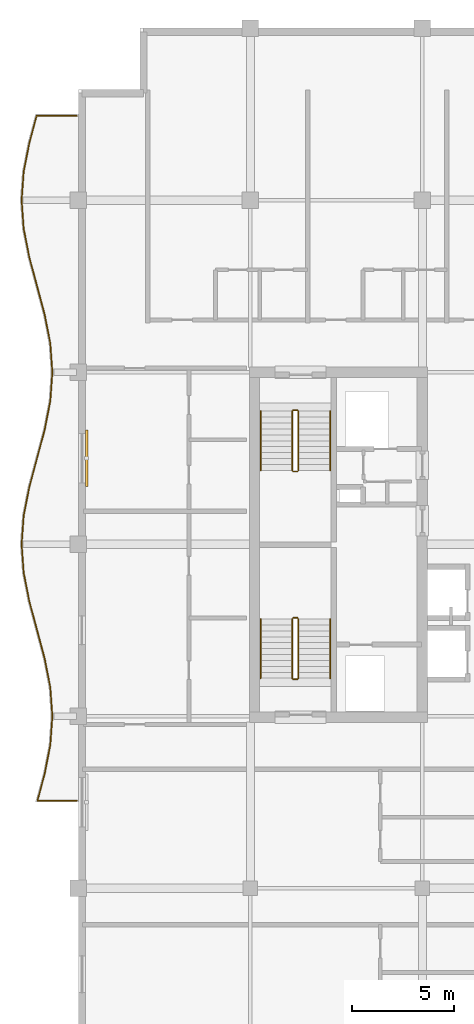
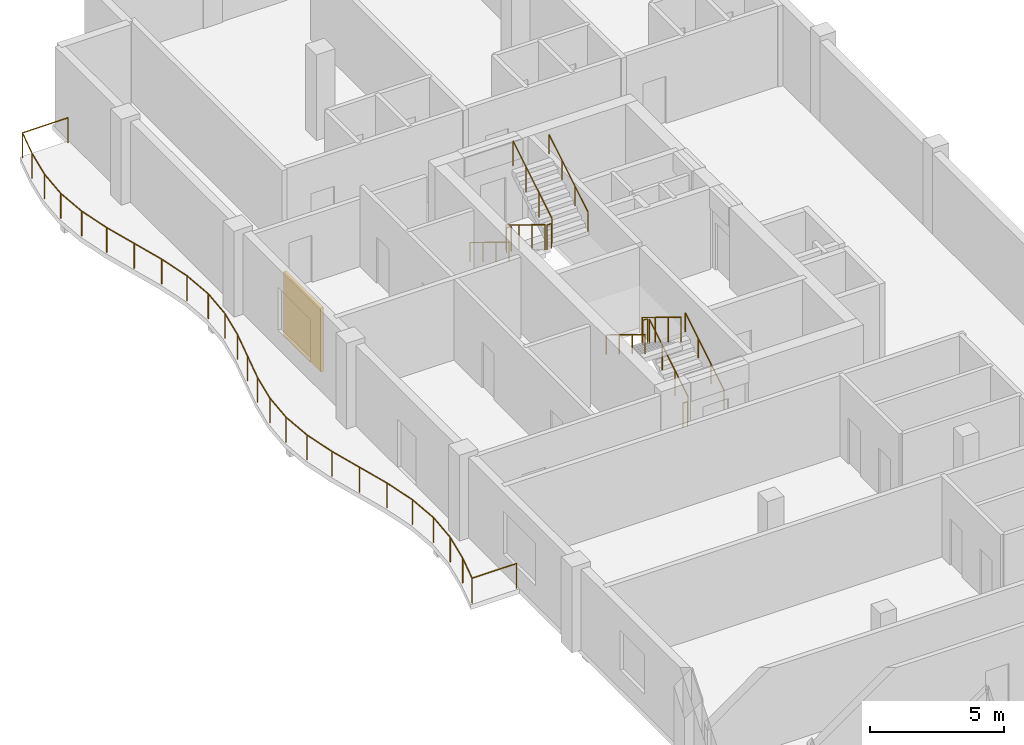
# One storey, part 15 of 15: 13 railings, 1 shading device.
"""IFC4 building model written with IfcOpenShell, lengths in metres."""

import ifcopenshell
import ifcopenshell.guid

model = None  # the IFC model being written
_history = None  # IfcOwnerHistory: only IFC2X3 demands one
_inside = {}  # id of a spatial element -> (the spatial element, [elements in it])
_under = {}  # id of a project, library or spatial element -> (it, [spatial elements below it])
_declared = {}  # id of a project -> (the project, [libraries it declares])
_typed = {}  # id of a type object -> (the type object, [elements of that type])
_made_of = {}  # id of a material, layer set ... -> (it, [elements and type objects made of it])


def new_model(schema):
    """Start an empty IFC model of exactly this schema.

    Asked for "IFC4X3", IfcOpenShell would pick the latest addendum, in which some entities
    have other attributes; the version numbers below select the first issue.
    IFC2X3 requires an IfcOwnerHistory on every rooted entity: one is made here for all.
    """
    global model, _history
    if schema == "IFC4X3":
        model = ifcopenshell.file(schema_version=(4, 3, 0, 0))
    else:
        model = ifcopenshell.file(schema=schema)
    _inside.clear()
    _under.clear()
    _declared.clear()
    _typed.clear()
    _made_of.clear()
    _history = None
    if model.schema == "IFC2X3":
        org = make("IfcOrganization", Name="unknown")
        user = make(
            "IfcPersonAndOrganization",
            ThePerson=make("IfcPerson", FamilyName="unknown"),
            TheOrganization=org,
        )
        app = make(
            "IfcApplication",
            ApplicationDeveloper=org,
            Version="unknown",
            ApplicationFullName="unknown",
            ApplicationIdentifier="unknown",
        )
        _history = make(
            "IfcOwnerHistory",
            OwningUser=user,
            OwningApplication=app,
            ChangeAction="ADDED",
            CreationDate=0,
        )
    return model


def make(cls, **values):
    """One entity of the class cls with the attributes given. An attribute that is None is left unset."""
    return model.create_entity(
        cls, **{name: value for name, value in values.items() if value is not None}
    )


def rooted(cls, **values):
    """An entity with a GlobalId (a new one), such as an element, a storey or a relation."""
    return make(cls, GlobalId=ifcopenshell.guid.new(), OwnerHistory=_history, **values)


def si_unit(unit_type, name, prefix=None):
    """IfcSIUnit, for example si_unit("LENGTHUNIT", "METRE", prefix="MILLI")."""
    return make("IfcSIUnit", UnitType=unit_type, Prefix=prefix, Name=name)


def assignment(units):
    """IfcUnitAssignment: the units of a project."""
    return None if units is None else make("IfcUnitAssignment", Units=units)


def point(xyz):
    """IfcCartesianPoint."""
    return None if xyz is None else make("IfcCartesianPoint", Coordinates=xyz)


def direction(xyz):
    """IfcDirection."""
    return None if xyz is None else make("IfcDirection", DirectionRatios=xyz)


def frame(location, z_axis=None, x_axis=None):
    """IfcAxis2Placement3D, a coordinate frame: its origin and axes. An axis left out is left unset."""
    return make(
        "IfcAxis2Placement3D",
        Location=point(location),
        Axis=direction(z_axis),
        RefDirection=direction(x_axis),
    )


def frame_2d(location, x_axis=None):
    """IfcAxis2Placement2D, a coordinate frame in the plane: its origin and x axis."""
    return make(
        "IfcAxis2Placement2D", Location=point(location), RefDirection=direction(x_axis)
    )


def origin():
    """The frame at (0, 0, 0) with its axes left unset."""
    return frame((0.0, 0.0, 0.0))


def origin_2d():
    """The frame at (0, 0) in the plane with its x axis left unset."""
    return frame_2d((0.0, 0.0))


def place(relative_to, where):
    """IfcLocalPlacement: puts the frame where relative to a parent placement (None: the world)."""
    return make(
        "IfcLocalPlacement", PlacementRelTo=relative_to, RelativePlacement=where
    )


def context(
    kind, dimensions, precision=None, world=None, true_north=None, identifier=None
):
    """IfcGeometricRepresentationContext, for example the 3D "Model" context."""
    return make(
        "IfcGeometricRepresentationContext",
        ContextIdentifier=identifier,
        ContextType=kind,
        CoordinateSpaceDimension=dimensions,
        Precision=precision,
        WorldCoordinateSystem=world,
        TrueNorth=true_north,
    )


def subcontext(parent, identifier, kind, view, scale=None):
    """IfcGeometricRepresentationSubContext, for example "Body" below "Model"."""
    return make(
        "IfcGeometricRepresentationSubContext",
        ContextIdentifier=identifier,
        ContextType=kind,
        ParentContext=parent,
        TargetScale=scale,
        TargetView=view,
    )


def project(units=None, contexts=None):
    """IfcProject with its units and contexts."""
    return rooted(
        "IfcProject",
        Name="project",
        RepresentationContexts=contexts,
        UnitsInContext=assignment(units),
    )


def spatial(cls, under=None, at=None, **own):
    """A site, building, storey or space (cls), placed at a placement, below another one or the project."""
    s = rooted(cls, ObjectPlacement=at, **own)
    if under is not None:
        _under.setdefault(under.id(), (under, []))[1].append(s)
    return s


def profile(cls, at=None, kind="AREA", **sizes):
    """A parametric profile (cls). Its sizes go by their IFC names, for example OverallWidth=200.0."""
    return make(cls, ProfileType=kind, Position=at, **sizes)


def rectangle(**sizes):
    """IfcRectangleProfileDef."""
    return profile("IfcRectangleProfileDef", **sizes)


def circle(**sizes):
    """IfcCircleProfileDef."""
    return profile("IfcCircleProfileDef", **sizes)


def extrude(swept, where, along, depth):
    """IfcExtrudedAreaSolid: the profile swept, set in the frame where, extruded along a direction by depth."""
    return make(
        "IfcExtrudedAreaSolid",
        SweptArea=swept,
        Position=where,
        ExtrudedDirection=direction(along),
        Depth=depth,
    )


def shape(context_of_items, identifier, shape_type, items):
    """IfcShapeRepresentation: the items that make up one representation, for example the "Body"."""
    return make(
        "IfcShapeRepresentation",
        ContextOfItems=context_of_items,
        RepresentationIdentifier=identifier,
        RepresentationType=shape_type,
        Items=items,
    )


def material(Name=None, Category=None):
    """IfcMaterial."""
    return make("IfcMaterial", Name=Name, Category=Category)


def layer(
    of_material, thickness, ventilated=None, Name=None, Category=None, Priority=None
):
    """IfcMaterialLayer: one layer of a wall or slab, of a material (None: an air gap)."""
    return make(
        "IfcMaterialLayer",
        Material=of_material,
        LayerThickness=thickness,
        IsVentilated=ventilated,
        Name=Name,
        Category=Category,
        Priority=Priority,
    )


def layer_set(layers, Name=None):
    """IfcMaterialLayerSet."""
    return make("IfcMaterialLayerSet", MaterialLayers=layers, LayerSetName=Name)


def made_of(thing, what):
    """Note that an element or type object is made of a material, layer set ...; save() writes the relation."""
    if what is not None:
        _made_of.setdefault(what.id(), (what, []))[1].append(thing)
    return thing


def type_object(cls, material=None, **own):
    """A type object (cls), such as IfcWallType, which elements share."""
    return made_of(rooted(cls, **own), material)


def element(
    cls,
    number,
    at=None,
    inside=None,
    cuts=None,
    type_object=None,
    material=None,
    context=None,
    identifier="Body",
    shape_type=None,
    held_by="IfcProductDefinitionShape",
    body=None,
    shapes=None,
    **own,
):
    """One element of the class cls, such as IfcWall. Its Tag is "e" and its number.

    at: its placement. inside: the storey or other place that contains it. cuts: it is an
    opening in that element (IfcRelVoidsElement). A single representation is given by context,
    identifier, shape_type and body (its items); several are given by shapes. held_by: the class
    of the entity that holds the representations. save() writes the other relations.
    """
    e = rooted(cls, Tag="e%d" % number, ObjectPlacement=at, **own)
    if body is not None:
        shapes = [shape(context, identifier, shape_type, body)]
    if shapes is not None:
        e.Representation = make(held_by, Representations=shapes)
    if inside is not None:
        _inside.setdefault(inside.id(), (inside, []))[1].append(e)
    if cuts is not None:
        rooted(
            "IfcRelVoidsElement", RelatingBuildingElement=cuts, RelatedOpeningElement=e
        )
    if type_object is not None:
        _typed.setdefault(type_object.id(), (type_object, []))[1].append(e)
    return made_of(e, material)


def aggregate(whole, parts):
    """IfcRelAggregates: a whole, such as a stair, and the parts it consists of."""
    return rooted("IfcRelAggregates", RelatingObject=whole, RelatedObjects=parts)


def save(model, path):
    """Write the relations noted so far, then the file.

    IfcRelAggregates (storeys below a building ...), IfcRelContainedInSpatialStructure (elements
    in a storey), IfcRelDefinesByType, IfcRelAssociatesMaterial and IfcRelDeclares: one each for
    every whole, place, type object, material and project.
    """
    for whole, parts in _under.values():
        aggregate(whole, parts)
    for where, things in _inside.values():
        rooted(
            "IfcRelContainedInSpatialStructure",
            RelatedElements=things,
            RelatingStructure=where,
        )
    for kind, things in _typed.values():
        rooted("IfcRelDefinesByType", RelatedObjects=things, RelatingType=kind)
    for what, things in _made_of.values():
        rooted("IfcRelAssociatesMaterial", RelatedObjects=things, RelatingMaterial=what)
    for by, libraries in _declared.values():
        rooted("IfcRelDeclares", RelatingContext=by, RelatedDefinitions=libraries)
    model.write(path)


model = new_model("IFC4")

# Units and contexts
model_context = context("Model", 3, precision=1e-05, world=origin(), true_north=direction((0.0, 1.0)))
body_context = subcontext(model_context, "Body", "Model", "MODEL_VIEW")
ifc_project = project(units=[si_unit("LENGTHUNIT", "METRE"), si_unit("AREAUNIT", "SQUARE_METRE"), si_unit("VOLUMEUNIT", "CUBIC_METRE"), si_unit("PLANEANGLEUNIT", "RADIAN"), si_unit("MASSUNIT", "GRAM", prefix="KILO")], contexts=[model_context])

# Site, building, storey
site_placement = place(None, origin())
site = spatial("IfcSite", under=ifc_project, at=site_placement, CompositionType="ELEMENT")
building_placement = place(site_placement, origin())
building = spatial("IfcBuilding", under=site, at=building_placement, Name="Koriwani Terraces Tower", CompositionType="ELEMENT")
storey_placement = place(building_placement, frame((0.0, 0.0, 324.199951171875)))
storey = spatial("IfcBuildingStorey", under=building, at=storey_placement, Name="L80", CompositionType="ELEMENT", Elevation=324.199951171875)

# Railings
ifc_material_1 = material(Name="Steel ASTM A572 Grade 50", Category="steel")
railing_type_1 = type_object("IfcRailingType", Name="GUARD_BALUSTRADE_1150", PredefinedType="BALUSTRADE", material=ifc_material_1)
railing_1_placement = place(storey_placement, frame((8.320068359375, 37.8798828125, 0.0)))
element("IfcRailing", 1, at=railing_1_placement, inside=storey, type_object=railing_type_1, Name="L80 Balcony Perimeter Safety Balustrade (W)", PredefinedType="BALUSTRADE", context=body_context, shape_type="SweptSolid", body=[
    extrude(circle(Radius=0.02392578125, at=origin_2d()), frame((0.0, 0.0, 1.1259765625), z_axis=(-1.0, 0.0, 0.0), x_axis=(0.0, -1.0, 0.0)), (0.0, 0.0, 1.0), 1.915771484375),
    extrude(circle(Radius=0.02392578125, at=origin_2d()), frame((-1.915771484375, 0.0, 1.1259765625), z_axis=(0.258654599752, 0.965969874285, 0.0), x_axis=(-0.965969874285, 0.258654599752, 0.0)), (0.0, 0.0, 1.0), 1.347900390625),
    extrude(circle(Radius=0.02392578125, at=origin_2d()), frame((-1.567138671875, 1.302001953125, 1.1259765625), z_axis=(0.192186246762, 0.981358469957, 0.0), x_axis=(-0.981358469957, 0.192186246762, 0.0)), (0.0, 0.0, 1.0), 1.434326171875),
    extrude(circle(Radius=0.02392578125, at=origin_2d()), frame((-1.29150390625, 2.70947265625, 1.1259765625), z_axis=(0.071639614309, 0.997430581876, 0.0), x_axis=(-0.997430581876, 0.071639614309, 0.0)), (0.0, 0.0, 1.0), 1.414306640625),
    extrude(circle(Radius=0.02392578125, at=origin_2d()), frame((-1.190185546875, 4.1201171875, 1.1259765625), z_axis=(-0.071639614309, 0.997430581876, 0.0), x_axis=(-0.997430581876, -0.071639614309, 0.0)), (0.0, 0.0, 1.0), 1.414306640625),
    extrude(circle(Radius=0.02392578125, at=origin_2d()), frame((-1.29150390625, 5.53076171875, 1.1259765625), z_axis=(-0.192186246762, 0.981358469957, 0.0), x_axis=(-0.981358469957, -0.192186246762, 0.0)), (0.0, 0.0, 1.0), 1.434326171875),
    extrude(circle(Radius=0.02392578125, at=origin_2d()), frame((-1.567138671875, 6.938232421875, 1.1259765625), z_axis=(-0.258731875344, 0.96594917914, 0.0), x_axis=(-0.96594917914, -0.258731875344, 0.0)), (0.0, 0.0, 1.0), 2.898681640625),
    extrude(circle(Radius=0.02392578125, at=origin_2d()), frame((-2.317138671875, 9.73828125, 1.1259765625), z_axis=(-0.19237547223, 0.981321393675, 0.0), x_axis=(-0.981321393675, -0.19237547223, 0.0)), (0.0, 0.0, 1.0), 1.4189453125),
    extrude(circle(Radius=0.02392578125, at=origin_2d()), frame((-2.590087890625, 11.130615234375, 1.1259765625), z_axis=(-0.07168297904, 0.997427466293, 0.0), x_axis=(-0.997427466293, -0.07168297904, 0.0)), (0.0, 0.0, 1.0), 1.39306640625),
    extrude(circle(Radius=0.02392578125, at=origin_2d()), frame((-2.68994140625, 12.52001953125, 1.1259765625), z_axis=(0.07168297904, 0.997427466293, 0.0), x_axis=(-0.997427466293, 0.07168297904, 0.0)), (0.0, 0.0, 1.0), 1.39306640625),
    extrude(circle(Radius=0.02392578125, at=origin_2d()), frame((-2.590087890625, 13.909423828125, 1.1259765625), z_axis=(0.192342993657, 0.981327760125, 0.0), x_axis=(-0.981327760125, 0.192342993657, 0.0)), (0.0, 0.0, 1.0), 1.419189453125),
    extrude(circle(Radius=0.02392578125, at=origin_2d()), frame((-2.317138671875, 15.302001953125, 1.1259765625), z_axis=(0.258731875344, 0.96594917914, 0.0), x_axis=(-0.96594917914, 0.258731875344, 0.0)), (0.0, 0.0, 1.0), 2.898681640625),
    extrude(circle(Radius=0.02392578125, at=origin_2d()), frame((-1.567138671875, 18.10205078125, 1.1259765625), z_axis=(0.192186246762, 0.981358469957, 0.0), x_axis=(-0.981358469957, 0.192186246762, 0.0)), (0.0, 0.0, 1.0), 1.434326171875),
    extrude(circle(Radius=0.02392578125, at=origin_2d()), frame((-1.29150390625, 19.509521484375, 1.1259765625), z_axis=(0.071639614309, 0.997430581876, 0.0), x_axis=(-0.997430581876, 0.071639614309, 0.0)), (0.0, 0.0, 1.0), 1.414306640625),
    extrude(circle(Radius=0.02392578125, at=origin_2d()), frame((-1.190185546875, 20.920166015625, 1.1259765625), z_axis=(-0.071639614309, 0.997430581876, 0.0), x_axis=(-0.997430581876, -0.071639614309, 0.0)), (0.0, 0.0, 1.0), 1.414306640625),
    extrude(circle(Radius=0.02392578125, at=origin_2d()), frame((-1.29150390625, 22.330810546875, 1.1259765625), z_axis=(-0.192218357442, 0.981352180954, 0.0), x_axis=(-0.981352180954, -0.192218357442, 0.0)), (0.0, 0.0, 1.0), 1.43408203125),
    extrude(circle(Radius=0.02392578125, at=origin_2d()), frame((-1.567138671875, 23.738037109375, 1.1259765625), z_axis=(-0.258710827923, 0.965954816498, 0.0), x_axis=(-0.965954816498, -0.258710827923, 0.0)), (0.0, 0.0, 1.0), 2.89892578125),
    extrude(circle(Radius=0.02392578125, at=origin_2d()), frame((-2.317138671875, 26.538330078125, 1.1259765625), z_axis=(-0.19237547223, 0.981321393675, 0.0), x_axis=(-0.981321393675, -0.19237547223, 0.0)), (0.0, 0.0, 1.0), 1.4189453125),
    extrude(circle(Radius=0.02392578125, at=origin_2d()), frame((-2.590087890625, 27.9306640625, 1.1259765625), z_axis=(-0.07168297904, 0.997427466293, 0.0), x_axis=(-0.997427466293, -0.07168297904, 0.0)), (0.0, 0.0, 1.0), 1.39306640625),
    extrude(circle(Radius=0.02392578125, at=origin_2d()), frame((-2.68994140625, 29.320068359375, 1.1259765625), z_axis=(0.07168297904, 0.997427466293, 0.0), x_axis=(-0.997427466293, 0.07168297904, 0.0)), (0.0, 0.0, 1.0), 1.39306640625),
    extrude(circle(Radius=0.02392578125, at=origin_2d()), frame((-2.590087890625, 30.70947265625, 1.1259765625), z_axis=(0.192342993657, 0.981327760125, 0.0), x_axis=(-0.981327760125, 0.192342993657, 0.0)), (0.0, 0.0, 1.0), 1.419189453125),
    extrude(circle(Radius=0.02392578125, at=origin_2d()), frame((-2.317138671875, 32.10205078125, 1.1259765625), z_axis=(0.25871553033, 0.965953557044, 0.0), x_axis=(-0.965953557044, 0.25871553033, 0.0)), (0.0, 0.0, 1.0), 1.38525390625),
    extrude(circle(Radius=0.02392578125, at=origin_2d()), frame((-1.958740234375, 33.440185546875, 1.1259765625), z_axis=(1.0, 0.0, 0.0), x_axis=(0.0, 1.0, 0.0)), (0.0, 0.0, 1.0), 1.958740234375),
    extrude(circle(Radius=0.02099609375, at=origin_2d()), origin(), (0.0, 0.0, 1.0), 1.101806640625),
    extrude(circle(Radius=0.02099609375, at=origin_2d()), frame((-1.915771484375, 0.0, 0.0)), (0.0, 0.0, 1.0), 1.101806640625),
    extrude(circle(Radius=0.02099609375, at=origin_2d()), frame((-1.567138671875, 1.302001953125, 0.0)), (0.0, 0.0, 1.0), 1.101806640625),
    extrude(circle(Radius=0.02099609375, at=origin_2d()), frame((-1.29150390625, 2.70947265625, 0.0)), (0.0, 0.0, 1.0), 1.101806640625),
    extrude(circle(Radius=0.02099609375, at=origin_2d()), frame((-1.190185546875, 4.1201171875, 0.0)), (0.0, 0.0, 1.0), 1.101806640625),
    extrude(circle(Radius=0.02099609375, at=origin_2d()), frame((-1.29150390625, 5.53076171875, 0.0)), (0.0, 0.0, 1.0), 1.101806640625),
    extrude(circle(Radius=0.02099609375, at=origin_2d()), frame((-1.567138671875, 6.938232421875, 0.0)), (0.0, 0.0, 1.0), 1.101806640625),
    extrude(circle(Radius=0.02099609375, at=origin_2d()), frame((-1.942138671875, 8.33837890625, 0.0)), (0.0, 0.0, 1.0), 1.101806640625),
    extrude(circle(Radius=0.02099609375, at=origin_2d()), frame((-2.317138671875, 9.73828125, 0.0)), (0.0, 0.0, 1.0), 1.101806640625),
    extrude(circle(Radius=0.02099609375, at=origin_2d()), frame((-2.590087890625, 11.130615234375, 0.0)), (0.0, 0.0, 1.0), 1.101806640625),
    extrude(circle(Radius=0.02099609375, at=origin_2d()), frame((-2.68994140625, 12.52001953125, 0.0)), (0.0, 0.0, 1.0), 1.101806640625),
    extrude(circle(Radius=0.02099609375, at=origin_2d()), frame((-2.590087890625, 13.909423828125, 0.0)), (0.0, 0.0, 1.0), 1.101806640625),
    extrude(circle(Radius=0.02099609375, at=origin_2d()), frame((-2.317138671875, 15.302001953125, 0.0)), (0.0, 0.0, 1.0), 1.101806640625),
    extrude(circle(Radius=0.02099609375, at=origin_2d()), frame((-1.942138671875, 16.7021484375, 0.0)), (0.0, 0.0, 1.0), 1.101806640625),
    extrude(circle(Radius=0.02099609375, at=origin_2d()), frame((-1.567138671875, 18.10205078125, 0.0)), (0.0, 0.0, 1.0), 1.101806640625),
    extrude(circle(Radius=0.02099609375, at=origin_2d()), frame((-1.29150390625, 19.509521484375, 0.0)), (0.0, 0.0, 1.0), 1.101806640625),
    extrude(circle(Radius=0.02099609375, at=origin_2d()), frame((-1.190185546875, 20.920166015625, 0.0)), (0.0, 0.0, 1.0), 1.101806640625),
    extrude(circle(Radius=0.02099609375, at=origin_2d()), frame((-1.29150390625, 22.330810546875, 0.0)), (0.0, 0.0, 1.0), 1.101806640625),
    extrude(circle(Radius=0.02099609375, at=origin_2d()), frame((-1.567138671875, 23.738037109375, 0.0)), (0.0, 0.0, 1.0), 1.101806640625),
    extrude(circle(Radius=0.02099609375, at=origin_2d()), frame((-1.942138671875, 25.13818359375, 0.0)), (0.0, 0.0, 1.0), 1.101806640625),
    extrude(circle(Radius=0.02099609375, at=origin_2d()), frame((-2.317138671875, 26.538330078125, 0.0)), (0.0, 0.0, 1.0), 1.101806640625),
    extrude(circle(Radius=0.02099609375, at=origin_2d()), frame((-2.590087890625, 27.9306640625, 0.0)), (0.0, 0.0, 1.0), 1.101806640625),
    extrude(circle(Radius=0.02099609375, at=origin_2d()), frame((-2.68994140625, 29.320068359375, 0.0)), (0.0, 0.0, 1.0), 1.101806640625),
    extrude(circle(Radius=0.02099609375, at=origin_2d()), frame((-2.590087890625, 30.70947265625, 0.0)), (0.0, 0.0, 1.0), 1.101806640625),
    extrude(circle(Radius=0.02099609375, at=origin_2d()), frame((-2.317138671875, 32.10205078125, 0.0)), (0.0, 0.0, 1.0), 1.101806640625),
    extrude(circle(Radius=0.02099609375, at=origin_2d()), frame((-1.958740234375, 33.440185546875, 0.0)), (0.0, 0.0, 1.0), 1.101806640625),
    extrude(circle(Radius=0.02099609375, at=origin_2d()), frame((0.0, 33.440185546875, 0.0)), (0.0, 0.0, 1.0), 1.101806640625),
])
railing_type_2 = type_object("IfcRailingType", Name="GUARD_STAIR_WELL_1120", PredefinedType="GUARDRAIL", material=ifc_material_1)
railing_2_placement = place(storey_placement, frame((19.14990234375, 43.85009765625, 0.17724609375)))
element("IfcRailing", 2, at=railing_2_placement, inside=storey, type_object=railing_type_2, Name="L80 ST-W1 stair guard 1", PredefinedType="GUARDRAIL", context=body_context, shape_type="SweptSolid", body=[
    extrude(circle(Radius=0.02392578125, at=origin_2d()), frame((0.0, 0.0, 1.1259765625), z_axis=(0.0, 0.853210801645, 0.521566225858), x_axis=(-1.0, 0.0, 0.0)), (0.0, 0.0, 1.0), 3.39892578125),
    extrude(circle(Radius=0.02099609375, at=origin_2d()), origin(), (0.0, 0.0, 1.0), 1.101806640625),
    extrude(circle(Radius=0.02099609375, at=origin_2d()), frame((0.0, 0.966552734375, 0.5908203125)), (0.0, 0.0, 1.0), 1.101806640625),
    extrude(circle(Radius=0.02099609375, at=origin_2d()), frame((0.0, 1.933349609375, 1.181884765625)), (0.0, 0.0, 1.0), 1.101806640625),
    extrude(circle(Radius=0.02099609375, at=origin_2d()), frame((0.0, 2.89990234375, 1.772705078125)), (0.0, 0.0, 1.0), 1.101806640625),
])
railing_3_placement = place(storey_placement, frame((19.10009765625, 46.800048828125, 1.949951171875)))
element("IfcRailing", 3, at=railing_3_placement, inside=storey, type_object=railing_type_2, Name="L80 ST-W1 stair guard 2", PredefinedType="GUARDRAIL", context=body_context, shape_type="SweptSolid", body=[
    extrude(circle(Radius=0.02392578125, at=origin_2d()), frame((0.0, 0.0, 1.1259765625), z_axis=(-1.0, 0.0, 0.0), x_axis=(0.0, -1.0, 0.0)), (0.0, 0.0, 1.0), 0.2001953125),
    extrude(circle(Radius=0.02099609375, at=origin_2d()), origin(), (0.0, 0.0, 1.0), 1.101806640625),
    extrude(circle(Radius=0.02099609375, at=origin_2d()), frame((-0.2001953125, 0.0, 0.0)), (0.0, 0.0, 1.0), 1.101806640625),
])
railing_4_placement = place(storey_placement, frame((18.85009765625, 46.75, 2.12744140625)))
element("IfcRailing", 4, at=railing_4_placement, inside=storey, type_object=railing_type_2, Name="L80 ST-W1 stair guard 3", PredefinedType="GUARDRAIL", context=body_context, shape_type="SweptSolid", body=[
    extrude(circle(Radius=0.02392578125, at=origin_2d()), frame((0.0, 0.0, 1.1259765625), z_axis=(0.0, -0.853210801645, 0.521566225858), x_axis=(1.0, 0.0, 0.0)), (0.0, 0.0, 1.0), 3.39892578125),
    extrude(circle(Radius=0.02099609375, at=origin_2d()), origin(), (0.0, 0.0, 1.0), 1.101806640625),
    extrude(circle(Radius=0.02099609375, at=origin_2d()), frame((0.0, -0.966552734375, 0.5908203125)), (0.0, 0.0, 1.0), 1.101806640625),
    extrude(circle(Radius=0.02099609375, at=origin_2d()), frame((0.0, -1.933349609375, 1.181884765625)), (0.0, 0.0, 1.0), 1.101806640625),
    extrude(circle(Radius=0.02099609375, at=origin_2d()), frame((0.0, -2.89990234375, 1.772705078125)), (0.0, 0.0, 1.0), 1.101806640625),
])
railing_5_placement = place(storey_placement, frame((19.10009765625, 43.800048828125, 0.0)))
element("IfcRailing", 5, at=railing_5_placement, inside=storey, type_object=railing_type_2, Name="L80 ST-W1 stair guard 4", PredefinedType="GUARDRAIL", context=body_context, shape_type="SweptSolid", body=[
    extrude(circle(Radius=0.02392578125, at=origin_2d()), frame((0.0, 0.0, 1.1259765625), z_axis=(-1.0, 0.0, 0.0), x_axis=(0.0, -1.0, 0.0)), (0.0, 0.0, 1.0), 0.2001953125),
    extrude(circle(Radius=0.02099609375, at=origin_2d()), origin(), (0.0, 0.0, 1.0), 1.101806640625),
    extrude(circle(Radius=0.02099609375, at=origin_2d()), frame((-0.2001953125, 0.0, 0.0)), (0.0, 0.0, 1.0), 1.101806640625),
])
railing_6_placement = place(storey_placement, frame((18.85009765625, 56.89990234375, 0.17724609375)))
element("IfcRailing", 6, at=railing_6_placement, inside=storey, type_object=railing_type_2, Name="L80 ST-W2 stair guard 1", PredefinedType="GUARDRAIL", context=body_context, shape_type="SweptSolid", body=[
    extrude(circle(Radius=0.02392578125, at=origin_2d()), frame((0.0, 0.0, 1.1259765625), z_axis=(0.0, -0.853210801645, 0.521566225858), x_axis=(1.0, 0.0, 0.0)), (0.0, 0.0, 1.0), 3.39892578125),
    extrude(circle(Radius=0.02099609375, at=origin_2d()), origin(), (0.0, 0.0, 1.0), 1.101806640625),
    extrude(circle(Radius=0.02099609375, at=origin_2d()), frame((0.0, -0.966552734375, 0.5908203125)), (0.0, 0.0, 1.0), 1.101806640625),
    extrude(circle(Radius=0.02099609375, at=origin_2d()), frame((0.0, -1.933349609375, 1.181884765625)), (0.0, 0.0, 1.0), 1.101806640625),
    extrude(circle(Radius=0.02099609375, at=origin_2d()), frame((0.0, -2.89990234375, 1.772705078125)), (0.0, 0.0, 1.0), 1.101806640625),
])
railing_7_placement = place(storey_placement, frame((18.89990234375, 53.949951171875, 1.949951171875)))
element("IfcRailing", 7, at=railing_7_placement, inside=storey, type_object=railing_type_2, Name="L80 ST-W2 stair guard 2", PredefinedType="GUARDRAIL", context=body_context, shape_type="SweptSolid", body=[
    extrude(circle(Radius=0.02392578125, at=origin_2d()), frame((0.0, 0.0, 1.1259765625), z_axis=(1.0, 0.0, 0.0), x_axis=(0.0, 1.0, 0.0)), (0.0, 0.0, 1.0), 0.2001953125),
    extrude(circle(Radius=0.02099609375, at=origin_2d()), origin(), (0.0, 0.0, 1.0), 1.101806640625),
    extrude(circle(Radius=0.02099609375, at=origin_2d()), frame((0.2001953125, 0.0, 0.0)), (0.0, 0.0, 1.0), 1.101806640625),
])
railing_8_placement = place(storey_placement, frame((19.14990234375, 54.0, 2.12744140625)))
element("IfcRailing", 8, at=railing_8_placement, inside=storey, type_object=railing_type_2, Name="L80 ST-W2 stair guard 3", PredefinedType="GUARDRAIL", context=body_context, shape_type="SweptSolid", body=[
    extrude(circle(Radius=0.02392578125, at=origin_2d()), frame((0.0, 0.0, 1.1259765625), z_axis=(0.0, 0.853210801645, 0.521566225858), x_axis=(-1.0, 0.0, 0.0)), (0.0, 0.0, 1.0), 3.39892578125),
    extrude(circle(Radius=0.02099609375, at=origin_2d()), origin(), (0.0, 0.0, 1.0), 1.101806640625),
    extrude(circle(Radius=0.02099609375, at=origin_2d()), frame((0.0, 0.966552734375, 0.5908203125)), (0.0, 0.0, 1.0), 1.101806640625),
    extrude(circle(Radius=0.02099609375, at=origin_2d()), frame((0.0, 1.933349609375, 1.181884765625)), (0.0, 0.0, 1.0), 1.101806640625),
    extrude(circle(Radius=0.02099609375, at=origin_2d()), frame((0.0, 2.89990234375, 1.772705078125)), (0.0, 0.0, 1.0), 1.101806640625),
])
railing_9_placement = place(storey_placement, frame((18.89990234375, 56.949951171875, 0.0)))
element("IfcRailing", 9, at=railing_9_placement, inside=storey, type_object=railing_type_2, Name="L80 ST-W2 stair guard 4", PredefinedType="GUARDRAIL", context=body_context, shape_type="SweptSolid", body=[
    extrude(circle(Radius=0.02392578125, at=origin_2d()), frame((0.0, 0.0, 1.1259765625), z_axis=(1.0, 0.0, 0.0), x_axis=(0.0, 1.0, 0.0)), (0.0, 0.0, 1.0), 0.2001953125),
    extrude(circle(Radius=0.02099609375, at=origin_2d()), origin(), (0.0, 0.0, 1.0), 1.101806640625),
    extrude(circle(Radius=0.02099609375, at=origin_2d()), frame((0.2001953125, 0.0, 0.0)), (0.0, 0.0, 1.0), 1.101806640625),
])
railing_type_3 = type_object("IfcRailingType", Name="HANDRAIL_STAIR_920", PredefinedType="HANDRAIL", material=ifc_material_1)
railing_10_placement = place(storey_placement, frame((20.699951171875, 43.85009765625, 0.17724609375)))
element("IfcRailing", 10, at=railing_10_placement, inside=storey, type_object=railing_type_3, Name="L80 ST-W1 stair handrail 1", PredefinedType="HANDRAIL", context=body_context, shape_type="SweptSolid", body=[
    extrude(circle(Radius=0.02392578125, at=origin_2d()), frame((0.0, 0.0, 0.8759765625), z_axis=(0.0, 0.853210801645, 0.521566225858), x_axis=(-1.0, 0.0, 0.0)), (0.0, 0.0, 1.0), 3.39892578125),
    extrude(circle(Radius=0.02099609375, at=origin_2d()), origin(), (0.0, 0.0, 1.0), 0.851806640625),
    extrude(circle(Radius=0.02099609375, at=origin_2d()), frame((0.0, 0.966552734375, 0.5908203125)), (0.0, 0.0, 1.0), 0.851806640625),
    extrude(circle(Radius=0.02099609375, at=origin_2d()), frame((0.0, 1.933349609375, 1.181884765625)), (0.0, 0.0, 1.0), 0.851806640625),
    extrude(circle(Radius=0.02099609375, at=origin_2d()), frame((0.0, 2.89990234375, 1.772705078125)), (0.0, 0.0, 1.0), 0.851806640625),
])
for number, where, name in (
    (11, (17.300048828125, 46.75, 2.12744140625), "L80 ST-W1 stair handrail 2"),
    (12, (17.300048828125, 56.89990234375, 0.17724609375), "L80 ST-W2 stair handrail 1"),
):
    element("IfcRailing", number, at=place(storey_placement, frame(where)), inside=storey, type_object=railing_type_3, Name=name, PredefinedType="HANDRAIL", context=body_context, shape_type="SweptSolid", body=[
        extrude(circle(Radius=0.02392578125, at=origin_2d()), frame((0.0, 0.0, 0.8759765625), z_axis=(0.0, -0.853210801645, 0.521566225858), x_axis=(1.0, 0.0, 0.0)), (0.0, 0.0, 1.0), 3.39892578125),
        extrude(circle(Radius=0.02099609375, at=origin_2d()), origin(), (0.0, 0.0, 1.0), 0.851806640625),
        extrude(circle(Radius=0.02099609375, at=origin_2d()), frame((0.0, -0.966552734375, 0.5908203125)), (0.0, 0.0, 1.0), 0.851806640625),
        extrude(circle(Radius=0.02099609375, at=origin_2d()), frame((0.0, -1.933349609375, 1.181884765625)), (0.0, 0.0, 1.0), 0.851806640625),
        extrude(circle(Radius=0.02099609375, at=origin_2d()), frame((0.0, -2.89990234375, 1.772705078125)), (0.0, 0.0, 1.0), 0.851806640625),
    ])
railing_11_placement = place(storey_placement, frame((20.699951171875, 54.0, 2.12744140625)))
element("IfcRailing", 13, at=railing_11_placement, inside=storey, type_object=railing_type_3, Name="L80 ST-W2 stair handrail 2", PredefinedType="HANDRAIL", context=body_context, shape_type="SweptSolid", body=[
    extrude(circle(Radius=0.02392578125, at=origin_2d()), frame((0.0, 0.0, 0.8759765625), z_axis=(0.0, 0.853210801645, 0.521566225858), x_axis=(-1.0, 0.0, 0.0)), (0.0, 0.0, 1.0), 3.39892578125),
    extrude(circle(Radius=0.02099609375, at=origin_2d()), origin(), (0.0, 0.0, 1.0), 0.851806640625),
    extrude(circle(Radius=0.02099609375, at=origin_2d()), frame((0.0, 0.966552734375, 0.5908203125)), (0.0, 0.0, 1.0), 0.851806640625),
    extrude(circle(Radius=0.02099609375, at=origin_2d()), frame((0.0, 1.933349609375, 1.181884765625)), (0.0, 0.0, 1.0), 0.851806640625),
    extrude(circle(Radius=0.02099609375, at=origin_2d()), frame((0.0, 2.89990234375, 1.772705078125)), (0.0, 0.0, 1.0), 0.851806640625),
])

# Shading device
ifc_material_2 = material(Name="Extruded Terracotta Clay", Category="masonry")
ifc_layer = layer(ifc_material_2, 0.1201171875, Name="Extruded Terracotta Clay")
ifc_layer_set = layer_set([ifc_layer], Name="Extruded Terracotta Clay")
shading_device_type = type_object("IfcShadingDeviceType", Name="TERRACOTTA_BAGUETTE_SCREEN_2800", PredefinedType="USERDEFINED", material=ifc_layer_set)
shading_device_placement = place(storey_placement, frame((8.804931640625, 54.60009765625, 0.385009765625), z_axis=(0.0, 0.0, 1.0), x_axis=(0.0, 1.0, 0.0)))
element("IfcShadingDevice", 14, at=shading_device_placement, inside=storey, type_object=shading_device_type, Name="L80 Extruded Terracotta Baguette Screen (W-15)", ObjectType="BAGUETTE", PredefinedType="USERDEFINED", context=body_context, shape_type="SweptSolid", body=[
    extrude(rectangle(XDim=2.760009765625, YDim=0.1201171875, at=origin_2d()), origin(), (0.0, 0.0, 1.0), 2.89990234375),
])

save(model, "model.ifc")
